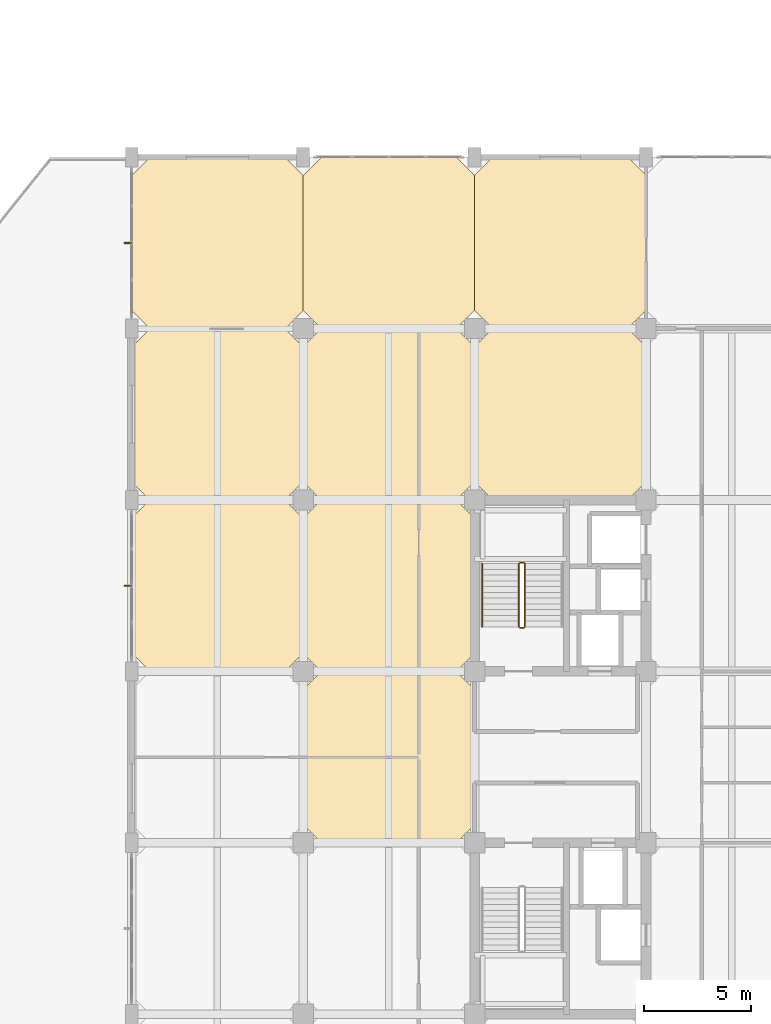
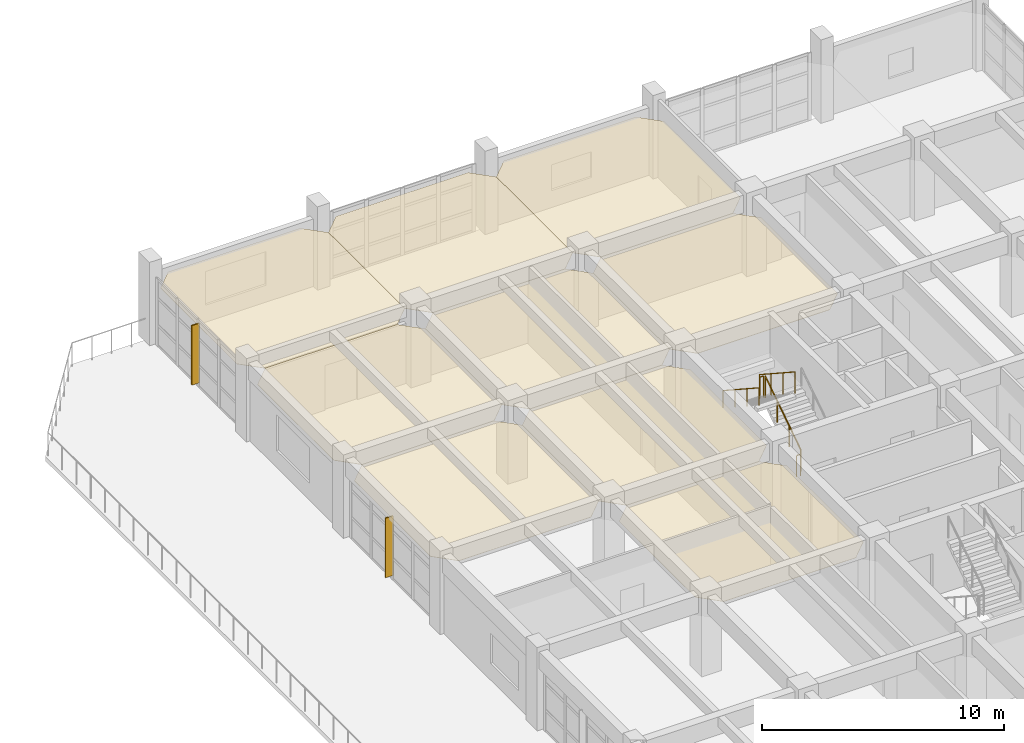
# One storey, part 32 of 35: 9 coverings, 5 railings, 2 shading devices.
"""IFC4 building model written with IfcOpenShell, lengths in metres."""

import ifcopenshell
import ifcopenshell.guid

model = None  # the IFC model being written
_history = None  # IfcOwnerHistory: only IFC2X3 demands one
_inside = {}  # id of a spatial element -> (the spatial element, [elements in it])
_under = {}  # id of a project, library or spatial element -> (it, [spatial elements below it])
_declared = {}  # id of a project -> (the project, [libraries it declares])
_typed = {}  # id of a type object -> (the type object, [elements of that type])
_made_of = {}  # id of a material, layer set ... -> (it, [elements and type objects made of it])


def new_model(schema):
    """Start an empty IFC model of exactly this schema.

    Asked for "IFC4X3", IfcOpenShell would pick the latest addendum, in which some entities
    have other attributes; the version numbers below select the first issue.
    IFC2X3 requires an IfcOwnerHistory on every rooted entity: one is made here for all.
    """
    global model, _history
    if schema == "IFC4X3":
        model = ifcopenshell.file(schema_version=(4, 3, 0, 0))
    else:
        model = ifcopenshell.file(schema=schema)
    _inside.clear()
    _under.clear()
    _declared.clear()
    _typed.clear()
    _made_of.clear()
    _history = None
    if model.schema == "IFC2X3":
        org = make("IfcOrganization", Name="unknown")
        user = make(
            "IfcPersonAndOrganization",
            ThePerson=make("IfcPerson", FamilyName="unknown"),
            TheOrganization=org,
        )
        app = make(
            "IfcApplication",
            ApplicationDeveloper=org,
            Version="unknown",
            ApplicationFullName="unknown",
            ApplicationIdentifier="unknown",
        )
        _history = make(
            "IfcOwnerHistory",
            OwningUser=user,
            OwningApplication=app,
            ChangeAction="ADDED",
            CreationDate=0,
        )
    return model


def make(cls, **values):
    """One entity of the class cls with the attributes given. An attribute that is None is left unset."""
    return model.create_entity(
        cls, **{name: value for name, value in values.items() if value is not None}
    )


def rooted(cls, **values):
    """An entity with a GlobalId (a new one), such as an element, a storey or a relation."""
    return make(cls, GlobalId=ifcopenshell.guid.new(), OwnerHistory=_history, **values)


def si_unit(unit_type, name, prefix=None):
    """IfcSIUnit, for example si_unit("LENGTHUNIT", "METRE", prefix="MILLI")."""
    return make("IfcSIUnit", UnitType=unit_type, Prefix=prefix, Name=name)


def assignment(units):
    """IfcUnitAssignment: the units of a project."""
    return None if units is None else make("IfcUnitAssignment", Units=units)


def point(xyz):
    """IfcCartesianPoint."""
    return None if xyz is None else make("IfcCartesianPoint", Coordinates=xyz)


def direction(xyz):
    """IfcDirection."""
    return None if xyz is None else make("IfcDirection", DirectionRatios=xyz)


def frame(location, z_axis=None, x_axis=None):
    """IfcAxis2Placement3D, a coordinate frame: its origin and axes. An axis left out is left unset."""
    return make(
        "IfcAxis2Placement3D",
        Location=point(location),
        Axis=direction(z_axis),
        RefDirection=direction(x_axis),
    )


def frame_2d(location, x_axis=None):
    """IfcAxis2Placement2D, a coordinate frame in the plane: its origin and x axis."""
    return make(
        "IfcAxis2Placement2D", Location=point(location), RefDirection=direction(x_axis)
    )


def origin():
    """The frame at (0, 0, 0) with its axes left unset."""
    return frame((0.0, 0.0, 0.0))


def origin_2d():
    """The frame at (0, 0) in the plane with its x axis left unset."""
    return frame_2d((0.0, 0.0))


def place(relative_to, where):
    """IfcLocalPlacement: puts the frame where relative to a parent placement (None: the world)."""
    return make(
        "IfcLocalPlacement", PlacementRelTo=relative_to, RelativePlacement=where
    )


def context(
    kind, dimensions, precision=None, world=None, true_north=None, identifier=None
):
    """IfcGeometricRepresentationContext, for example the 3D "Model" context."""
    return make(
        "IfcGeometricRepresentationContext",
        ContextIdentifier=identifier,
        ContextType=kind,
        CoordinateSpaceDimension=dimensions,
        Precision=precision,
        WorldCoordinateSystem=world,
        TrueNorth=true_north,
    )


def subcontext(parent, identifier, kind, view, scale=None):
    """IfcGeometricRepresentationSubContext, for example "Body" below "Model"."""
    return make(
        "IfcGeometricRepresentationSubContext",
        ContextIdentifier=identifier,
        ContextType=kind,
        ParentContext=parent,
        TargetScale=scale,
        TargetView=view,
    )


def project(units=None, contexts=None):
    """IfcProject with its units and contexts."""
    return rooted(
        "IfcProject",
        Name="project",
        RepresentationContexts=contexts,
        UnitsInContext=assignment(units),
    )


def spatial(cls, under=None, at=None, **own):
    """A site, building, storey or space (cls), placed at a placement, below another one or the project."""
    s = rooted(cls, ObjectPlacement=at, **own)
    if under is not None:
        _under.setdefault(under.id(), (under, []))[1].append(s)
    return s


def polyline(points):
    """IfcPolyline through the points."""
    return make("IfcPolyline", Points=[point(p) for p in points])


def profile(cls, at=None, kind="AREA", **sizes):
    """A parametric profile (cls). Its sizes go by their IFC names, for example OverallWidth=200.0."""
    return make(cls, ProfileType=kind, Position=at, **sizes)


def rectangle(**sizes):
    """IfcRectangleProfileDef."""
    return profile("IfcRectangleProfileDef", **sizes)


def circle(**sizes):
    """IfcCircleProfileDef."""
    return profile("IfcCircleProfileDef", **sizes)


def outline(outer, holes=None, kind="AREA"):
    """IfcArbitraryClosedProfileDef: a profile drawn as a closed curve; with holes, ...WithVoids."""
    if holes is None:
        return make("IfcArbitraryClosedProfileDef", ProfileType=kind, OuterCurve=outer)
    return make(
        "IfcArbitraryProfileDefWithVoids",
        ProfileType=kind,
        OuterCurve=outer,
        InnerCurves=holes,
    )


def extrude(swept, where, along, depth):
    """IfcExtrudedAreaSolid: the profile swept, set in the frame where, extruded along a direction by depth."""
    return make(
        "IfcExtrudedAreaSolid",
        SweptArea=swept,
        Position=where,
        ExtrudedDirection=direction(along),
        Depth=depth,
    )


def shape(context_of_items, identifier, shape_type, items):
    """IfcShapeRepresentation: the items that make up one representation, for example the "Body"."""
    return make(
        "IfcShapeRepresentation",
        ContextOfItems=context_of_items,
        RepresentationIdentifier=identifier,
        RepresentationType=shape_type,
        Items=items,
    )


def material(Name=None, Category=None):
    """IfcMaterial."""
    return make("IfcMaterial", Name=Name, Category=Category)


def layer(
    of_material, thickness, ventilated=None, Name=None, Category=None, Priority=None
):
    """IfcMaterialLayer: one layer of a wall or slab, of a material (None: an air gap)."""
    return make(
        "IfcMaterialLayer",
        Material=of_material,
        LayerThickness=thickness,
        IsVentilated=ventilated,
        Name=Name,
        Category=Category,
        Priority=Priority,
    )


def layer_set(layers, Name=None):
    """IfcMaterialLayerSet."""
    return make("IfcMaterialLayerSet", MaterialLayers=layers, LayerSetName=Name)


def made_of(thing, what):
    """Note that an element or type object is made of a material, layer set ...; save() writes the relation."""
    if what is not None:
        _made_of.setdefault(what.id(), (what, []))[1].append(thing)
    return thing


def type_object(cls, material=None, **own):
    """A type object (cls), such as IfcWallType, which elements share."""
    return made_of(rooted(cls, **own), material)


def element(
    cls,
    number,
    at=None,
    inside=None,
    cuts=None,
    type_object=None,
    material=None,
    context=None,
    identifier="Body",
    shape_type=None,
    held_by="IfcProductDefinitionShape",
    body=None,
    shapes=None,
    **own,
):
    """One element of the class cls, such as IfcWall. Its Tag is "e" and its number.

    at: its placement. inside: the storey or other place that contains it. cuts: it is an
    opening in that element (IfcRelVoidsElement). A single representation is given by context,
    identifier, shape_type and body (its items); several are given by shapes. held_by: the class
    of the entity that holds the representations. save() writes the other relations.
    """
    e = rooted(cls, Tag="e%d" % number, ObjectPlacement=at, **own)
    if body is not None:
        shapes = [shape(context, identifier, shape_type, body)]
    if shapes is not None:
        e.Representation = make(held_by, Representations=shapes)
    if inside is not None:
        _inside.setdefault(inside.id(), (inside, []))[1].append(e)
    if cuts is not None:
        rooted(
            "IfcRelVoidsElement", RelatingBuildingElement=cuts, RelatedOpeningElement=e
        )
    if type_object is not None:
        _typed.setdefault(type_object.id(), (type_object, []))[1].append(e)
    return made_of(e, material)


def aggregate(whole, parts):
    """IfcRelAggregates: a whole, such as a stair, and the parts it consists of."""
    return rooted("IfcRelAggregates", RelatingObject=whole, RelatedObjects=parts)


def save(model, path):
    """Write the relations noted so far, then the file.

    IfcRelAggregates (storeys below a building ...), IfcRelContainedInSpatialStructure (elements
    in a storey), IfcRelDefinesByType, IfcRelAssociatesMaterial and IfcRelDeclares: one each for
    every whole, place, type object, material and project.
    """
    for whole, parts in _under.values():
        aggregate(whole, parts)
    for where, things in _inside.values():
        rooted(
            "IfcRelContainedInSpatialStructure",
            RelatedElements=things,
            RelatingStructure=where,
        )
    for kind, things in _typed.values():
        rooted("IfcRelDefinesByType", RelatedObjects=things, RelatingType=kind)
    for what, things in _made_of.values():
        rooted("IfcRelAssociatesMaterial", RelatedObjects=things, RelatingMaterial=what)
    for by, libraries in _declared.values():
        rooted("IfcRelDeclares", RelatingContext=by, RelatedDefinitions=libraries)
    model.write(path)


model = new_model("IFC4")

# Units and contexts
model_context = context("Model", 3, precision=1e-05, world=origin(), true_north=direction((0.0, 1.0)))
body_context = subcontext(model_context, "Body", "Model", "MODEL_VIEW")
ifc_project = project(units=[si_unit("LENGTHUNIT", "METRE"), si_unit("AREAUNIT", "SQUARE_METRE"), si_unit("VOLUMEUNIT", "CUBIC_METRE"), si_unit("PLANEANGLEUNIT", "RADIAN"), si_unit("MASSUNIT", "GRAM", prefix="KILO")], contexts=[model_context])

# Site, building, storey
site_placement = place(None, origin())
site = spatial("IfcSite", under=ifc_project, at=site_placement, CompositionType="ELEMENT")
building_placement = place(site_placement, origin())
building = spatial("IfcBuilding", under=site, at=building_placement, Name="Canggui Botanical Conservatory", CompositionType="ELEMENT")
storey_placement = place(building_placement, frame((0.0, 0.0, 15.0)))
storey = spatial("IfcBuildingStorey", under=building, at=storey_placement, Name="L04", CompositionType="ELEMENT", Elevation=15.0)

# Coverings
ifc_material_1 = material(Name="Mineral Fibre Acoustic Board")
ifc_layer_1 = layer(ifc_material_1, 0.014892578125, Name="Mineral Fibre Acoustic Board")
ifc_layer_set_1 = layer_set([ifc_layer_1], Name="Mineral Fibre Acoustic Board")
covering_type_1 = type_object("IfcCoveringType", Name="COV-CEIL-15", PredefinedType="CEILING", material=ifc_layer_set_1)
covering_1_placement = place(storey_placement, frame((0.0, 0.0, 3.034912109375)))
element("IfcCovering", 1, at=covering_1_placement, inside=storey, type_object=covering_type_1, Name="Suspended Acoustic Ceiling L04-138-58", PredefinedType="CEILING", context=body_context, shape_type="SweptSolid", body=[
    extrude(outline(polyline([(138.85009765625, 58.0), (145.14990234375, 58.0), (146.0, 58.85009765625), (146.0, 65.14990234375), (145.14990234375, 66.0), (138.85009765625, 66.0), (138.0, 65.14990234375), (138.0, 58.85009765625), (138.85009765625, 58.0)])), origin(), (0.0, 0.0, 1.0), 0.01513671875),
])
covering_2_placement = place(storey_placement, frame((0.0, 0.0, 3.034912109375)))
element("IfcCovering", 2, at=covering_2_placement, inside=storey, type_object=covering_type_1, Name="Suspended Acoustic Ceiling L04-138-74", PredefinedType="CEILING", context=body_context, shape_type="SweptSolid", body=[
    extrude(outline(polyline([(138.85009765625, 74.0), (145.14990234375, 74.0), (146.0, 74.85009765625), (146.0, 81.14990234375), (145.14990234375, 82.0), (138.85009765625, 82.0), (138.0, 81.14990234375), (138.0, 74.85009765625), (138.85009765625, 74.0)])), origin(), (0.0, 0.0, 1.0), 0.01513671875),
])
covering_3_placement = place(storey_placement, frame((0.0, 0.0, 3.034912109375)))
element("IfcCovering", 3, at=covering_3_placement, inside=storey, type_object=covering_type_1, Name="Suspended Acoustic Ceiling L04-146-50", PredefinedType="CEILING", context=body_context, shape_type="SweptSolid", body=[
    extrude(outline(polyline([(146.85009765625, 50.0), (153.14990234375, 50.0), (154.0, 50.85009765625), (154.0, 57.14990234375), (153.14990234375, 58.0), (146.85009765625, 58.0), (146.0, 57.14990234375), (146.0, 50.85009765625), (146.85009765625, 50.0)])), origin(), (0.0, 0.0, 1.0), 0.01513671875),
])
covering_4_placement = place(storey_placement, frame((0.0, 0.0, 3.034912109375)))
element("IfcCovering", 4, at=covering_4_placement, inside=storey, type_object=covering_type_1, Name="Suspended Acoustic Ceiling L04-146-66", PredefinedType="CEILING", context=body_context, shape_type="SweptSolid", body=[
    extrude(outline(polyline([(146.85009765625, 66.0), (153.14990234375, 66.0), (154.0, 66.85009765625), (154.0, 73.14990234375), (153.14990234375, 74.0), (146.85009765625, 74.0), (146.0, 73.14990234375), (146.0, 66.85009765625), (146.85009765625, 66.0)])), origin(), (0.0, 0.0, 1.0), 0.01513671875),
])
covering_5_placement = place(storey_placement, frame((0.0, 0.0, 3.034912109375)))
element("IfcCovering", 5, at=covering_5_placement, inside=storey, type_object=covering_type_1, Name="Suspended Acoustic Ceiling L04-154-74", PredefinedType="CEILING", context=body_context, shape_type="SweptSolid", body=[
    extrude(outline(polyline([(154.85009765625, 74.0), (161.14990234375, 74.0), (162.0, 74.85009765625), (162.0, 81.14990234375), (161.14990234375, 82.0), (154.85009765625, 82.0), (154.0, 81.14990234375), (154.0, 74.85009765625), (154.85009765625, 74.0)])), origin(), (0.0, 0.0, 1.0), 0.01513671875),
])
ifc_material_2 = material(Name="Perforated Gypsum Acoustic Panel")
ifc_layer_2 = layer(ifc_material_2, 0.02001953125, Name="Perforated Gypsum Acoustic Panel")
ifc_layer_set_2 = layer_set([ifc_layer_2], Name="Perforated Gypsum Acoustic Panel")
covering_type_2 = type_object("IfcCoveringType", Name="COV-CEIL-20", PredefinedType="CEILING", material=ifc_layer_set_2)
covering_6_placement = place(storey_placement, frame((0.0, 0.0, 3.030029296875)))
element("IfcCovering", 6, at=covering_6_placement, inside=storey, type_object=covering_type_2, Name="Suspended Acoustic Ceiling L04-138-66", PredefinedType="CEILING", context=body_context, shape_type="SweptSolid", body=[
    extrude(outline(polyline([(138.85009765625, 66.0), (145.14990234375, 66.0), (146.0, 66.85009765625), (146.0, 73.14990234375), (145.14990234375, 74.0), (138.85009765625, 74.0), (138.0, 73.14990234375), (138.0, 66.85009765625), (138.85009765625, 66.0)])), origin(), (0.0, 0.0, 1.0), 0.02001953125),
])
covering_7_placement = place(storey_placement, frame((0.0, 0.0, 3.030029296875)))
element("IfcCovering", 7, at=covering_7_placement, inside=storey, type_object=covering_type_2, Name="Suspended Acoustic Ceiling L04-146-58", PredefinedType="CEILING", context=body_context, shape_type="SweptSolid", body=[
    extrude(outline(polyline([(146.85009765625, 58.0), (153.14990234375, 58.0), (154.0, 58.85009765625), (154.0, 65.14990234375), (153.14990234375, 66.0), (146.85009765625, 66.0), (146.0, 65.14990234375), (146.0, 58.85009765625), (146.85009765625, 58.0)])), origin(), (0.0, 0.0, 1.0), 0.02001953125),
])
covering_8_placement = place(storey_placement, frame((0.0, 0.0, 3.030029296875)))
element("IfcCovering", 8, at=covering_8_placement, inside=storey, type_object=covering_type_2, Name="Suspended Acoustic Ceiling L04-146-74", PredefinedType="CEILING", context=body_context, shape_type="SweptSolid", body=[
    extrude(outline(polyline([(146.85009765625, 74.0), (153.14990234375, 74.0), (154.0, 74.85009765625), (154.0, 81.14990234375), (153.14990234375, 82.0), (146.85009765625, 82.0), (146.0, 81.14990234375), (146.0, 74.85009765625), (146.85009765625, 74.0)])), origin(), (0.0, 0.0, 1.0), 0.02001953125),
])
covering_9_placement = place(storey_placement, frame((0.0, 0.0, 3.030029296875)))
element("IfcCovering", 9, at=covering_9_placement, inside=storey, type_object=covering_type_2, Name="Suspended Acoustic Ceiling L04-154-66", PredefinedType="CEILING", context=body_context, shape_type="SweptSolid", body=[
    extrude(outline(polyline([(154.85009765625, 66.0), (161.14990234375, 66.0), (162.0, 66.85009765625), (162.0, 73.14990234375), (161.14990234375, 74.0), (154.85009765625, 74.0), (154.0, 73.14990234375), (154.0, 66.85009765625), (154.85009765625, 66.0)])), origin(), (0.0, 0.0, 1.0), 0.02001953125),
])

# Railings
ifc_material_3 = material(Name="Stainless Steel 304", Category="steel")
railing_type_1 = type_object("IfcRailingType", Name="RAIL-GUARD-1100", PredefinedType="BALUSTRADE", material=ifc_material_3)
railing_1_placement = place(storey_placement, frame((156.35009765625, 60.080078125, 0.175048828125)))
element("IfcRailing", 10, at=railing_1_placement, inside=storey, type_object=railing_type_1, Name="L04 ST-T2 stair guard 1", PredefinedType="BALUSTRADE", context=body_context, shape_type="SweptSolid", body=[
    extrude(circle(Radius=0.02392578125, at=origin_2d()), frame((0.0, 0.0, 1.076171875), z_axis=(0.0, 0.837293178872, 0.54675417933), x_axis=(-1.0, 0.0, 0.0)), (0.0, 0.0, 1.0), 3.520751953125),
    extrude(circle(Radius=0.02099609375, at=origin_2d()), origin(), (0.0, 0.0, 1.0), 1.052001953125),
    extrude(circle(Radius=0.02099609375, at=origin_2d()), frame((0.0, 0.982666015625, 0.6416015625)), (0.0, 0.0, 1.0), 1.052001953125),
    extrude(circle(Radius=0.02099609375, at=origin_2d()), frame((0.0, 1.96533203125, 1.283447265625)), (0.0, 0.0, 1.0), 1.052001953125),
    extrude(circle(Radius=0.02099609375, at=origin_2d()), frame((0.0, 2.947998046875, 1.925048828125)), (0.0, 0.0, 1.0), 1.052001953125),
])
railing_2_placement = place(storey_placement, frame((156.300048828125, 63.077880859375, 2.10009765625)))
element("IfcRailing", 11, at=railing_2_placement, inside=storey, type_object=railing_type_1, Name="L04 ST-T2 stair guard 2", PredefinedType="BALUSTRADE", context=body_context, shape_type="SweptSolid", body=[
    extrude(circle(Radius=0.02392578125, at=origin_2d()), frame((0.0, 0.0, 1.076171875), z_axis=(-1.0, 0.0, 0.0), x_axis=(0.0, -1.0, 0.0)), (0.0, 0.0, 1.0), 0.179931640625),
    extrude(circle(Radius=0.02099609375, at=origin_2d()), origin(), (0.0, 0.0, 1.0), 1.052001953125),
    extrude(circle(Radius=0.02099609375, at=origin_2d()), frame((-0.179931640625, 0.0, 0.0)), (0.0, 0.0, 1.0), 1.052001953125),
])
railing_3_placement = place(storey_placement, frame((156.070068359375, 63.028076171875, 2.27490234375)))
element("IfcRailing", 12, at=railing_3_placement, inside=storey, type_object=railing_type_1, Name="L04 ST-T2 stair guard 3", PredefinedType="BALUSTRADE", context=body_context, shape_type="SweptSolid", body=[
    extrude(circle(Radius=0.02392578125, at=origin_2d()), frame((0.0, 0.0, 1.076171875), z_axis=(0.0, -0.837293178872, 0.54675417933), x_axis=(1.0, 0.0, 0.0)), (0.0, 0.0, 1.0), 3.520751953125),
    extrude(circle(Radius=0.02099609375, at=origin_2d()), origin(), (0.0, 0.0, 1.0), 1.052001953125),
    extrude(circle(Radius=0.02099609375, at=origin_2d()), frame((0.0, -0.982666015625, 0.6416015625)), (0.0, 0.0, 1.0), 1.052001953125),
    extrude(circle(Radius=0.02099609375, at=origin_2d()), frame((0.0, -1.96533203125, 1.283447265625)), (0.0, 0.0, 1.0), 1.052001953125),
    extrude(circle(Radius=0.02099609375, at=origin_2d()), frame((0.0, -2.947998046875, 1.925048828125)), (0.0, 0.0, 1.0), 1.052001953125),
])
railing_4_placement = place(storey_placement, frame((156.300048828125, 60.030029296875, 0.0)))
element("IfcRailing", 13, at=railing_4_placement, inside=storey, type_object=railing_type_1, Name="L04 ST-T2 stair guard 4", PredefinedType="BALUSTRADE", context=body_context, shape_type="SweptSolid", body=[
    extrude(circle(Radius=0.02392578125, at=origin_2d()), frame((0.0, 0.0, 1.076171875), z_axis=(-1.0, 0.0, 0.0), x_axis=(0.0, -1.0, 0.0)), (0.0, 0.0, 1.0), 0.179931640625),
    extrude(circle(Radius=0.02099609375, at=origin_2d()), origin(), (0.0, 0.0, 1.0), 1.052001953125),
    extrude(circle(Radius=0.02099609375, at=origin_2d()), frame((-0.179931640625, 0.0, 0.0)), (0.0, 0.0, 1.0), 1.052001953125),
])
railing_type_2 = type_object("IfcRailingType", Name="RAIL-HAND-900", PredefinedType="HANDRAIL", material=ifc_material_3)
railing_5_placement = place(storey_placement, frame((154.35009765625, 63.028076171875, 2.27490234375)))
element("IfcRailing", 14, at=railing_5_placement, inside=storey, type_object=railing_type_2, Name="L04 ST-T2 stair handrail 2", PredefinedType="HANDRAIL", context=body_context, shape_type="SweptSolid", body=[
    extrude(circle(Radius=0.02392578125, at=origin_2d()), frame((0.0, 0.0, 0.8759765625), z_axis=(0.0, -0.837293178872, 0.54675417933), x_axis=(1.0, 0.0, 0.0)), (0.0, 0.0, 1.0), 3.520751953125),
    extrude(circle(Radius=0.02099609375, at=origin_2d()), origin(), (0.0, 0.0, 1.0), 0.851806640625),
    extrude(circle(Radius=0.02099609375, at=origin_2d()), frame((0.0, -0.982666015625, 0.6416015625)), (0.0, 0.0, 1.0), 0.851806640625),
    extrude(circle(Radius=0.02099609375, at=origin_2d()), frame((0.0, -1.96533203125, 1.283447265625)), (0.0, 0.0, 1.0), 0.851806640625),
    extrude(circle(Radius=0.02099609375, at=origin_2d()), frame((0.0, -2.947998046875, 1.925048828125)), (0.0, 0.0, 1.0), 0.851806640625),
])

# Shading devices
ifc_material_4 = material(Name="Anodised Aluminium", Category="aluminium")
shading_device_type = type_object("IfcShadingDeviceType", Name="SHD-FIN02", PredefinedType="AWNING", material=ifc_material_4)
for number, where, z_axis, x_axis, name in (
    (15, (137.8349609375, 62.0, 0.199951171875), (0.0, 0.0, 1.0), (0.0, 1.0, 0.0), "Solar Shading Fin CW-TWR-L04-10"),
    (16, (137.8349609375, 78.0, 0.199951171875), (0.0, 0.0, 1.0), (0.0, 1.0, 0.0), "Solar Shading Fin CW-TWR-L04-12"),
):
    element("IfcShadingDevice", number, at=place(storey_placement, frame(where, z_axis=z_axis, x_axis=x_axis)), inside=storey, type_object=shading_device_type, Name=name, PredefinedType="AWNING", context=body_context, shape_type="SweptSolid", body=[
        extrude(rectangle(XDim=0.06005859375, YDim=0.360107421875, at=origin_2d()), origin(), (0.0, 0.0, 1.0), 3.0),
    ])

save(model, "model.ifc")
